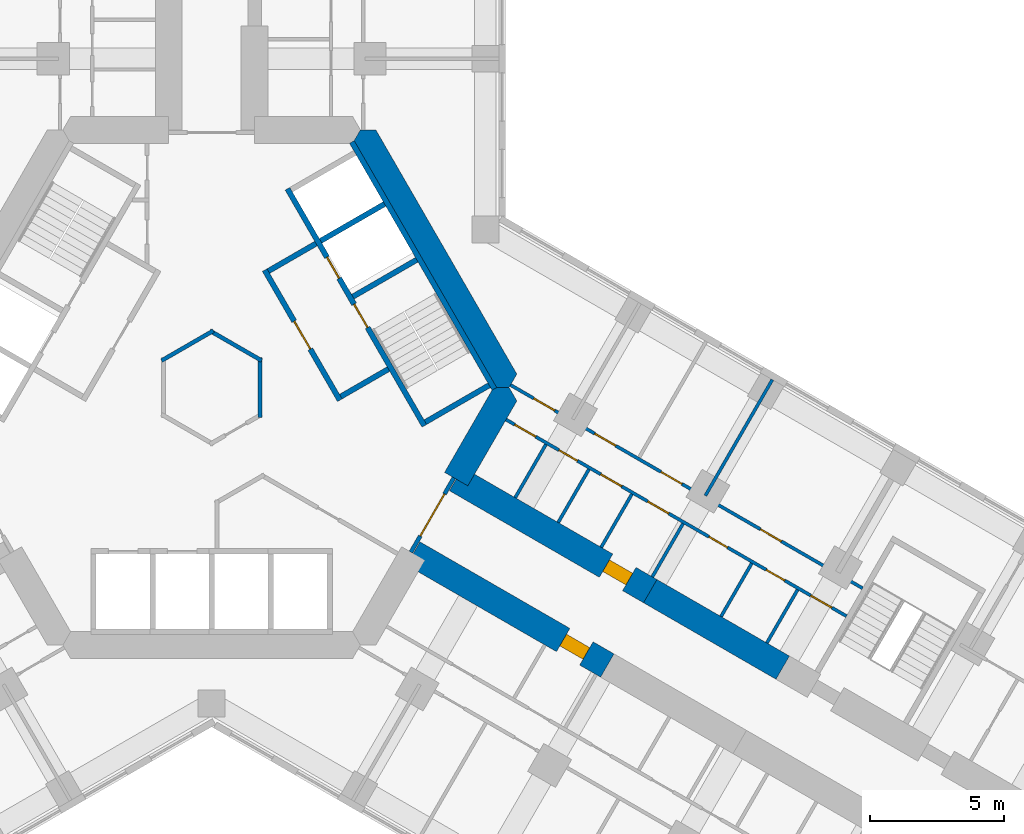
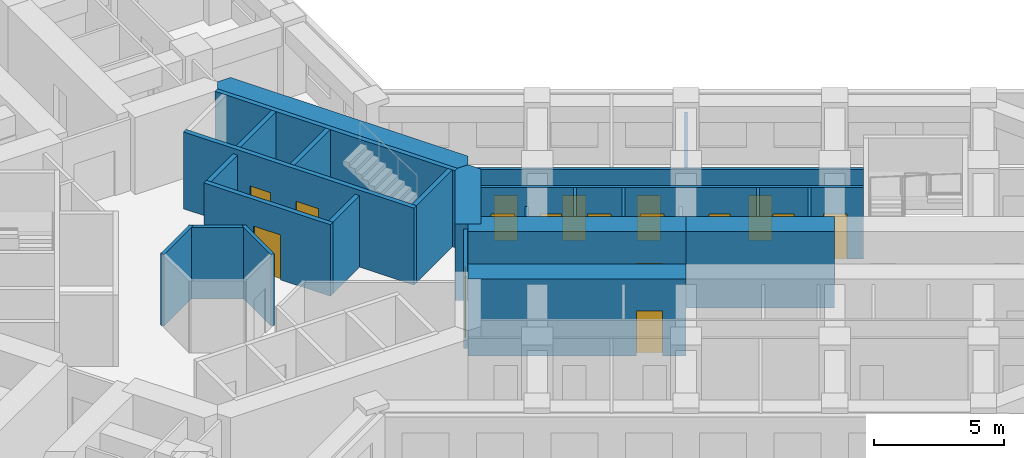
# One storey, part 15 of 21: 26 walls, 17 doors, 17 openings.
"""IFC4 building model written with IfcOpenShell, lengths in metres."""

import ifcopenshell
import ifcopenshell.guid

model = None  # the IFC model being written
_history = None  # IfcOwnerHistory: only IFC2X3 demands one
_inside = {}  # id of a spatial element -> (the spatial element, [elements in it])
_under = {}  # id of a project, library or spatial element -> (it, [spatial elements below it])
_declared = {}  # id of a project -> (the project, [libraries it declares])
_typed = {}  # id of a type object -> (the type object, [elements of that type])
_made_of = {}  # id of a material, layer set ... -> (it, [elements and type objects made of it])


def new_model(schema):
    """Start an empty IFC model of exactly this schema.

    Asked for "IFC4X3", IfcOpenShell would pick the latest addendum, in which some entities
    have other attributes; the version numbers below select the first issue.
    IFC2X3 requires an IfcOwnerHistory on every rooted entity: one is made here for all.
    """
    global model, _history
    if schema == "IFC4X3":
        model = ifcopenshell.file(schema_version=(4, 3, 0, 0))
    else:
        model = ifcopenshell.file(schema=schema)
    _inside.clear()
    _under.clear()
    _declared.clear()
    _typed.clear()
    _made_of.clear()
    _history = None
    if model.schema == "IFC2X3":
        org = make("IfcOrganization", Name="unknown")
        user = make(
            "IfcPersonAndOrganization",
            ThePerson=make("IfcPerson", FamilyName="unknown"),
            TheOrganization=org,
        )
        app = make(
            "IfcApplication",
            ApplicationDeveloper=org,
            Version="unknown",
            ApplicationFullName="unknown",
            ApplicationIdentifier="unknown",
        )
        _history = make(
            "IfcOwnerHistory",
            OwningUser=user,
            OwningApplication=app,
            ChangeAction="ADDED",
            CreationDate=0,
        )
    return model


def make(cls, **values):
    """One entity of the class cls with the attributes given. An attribute that is None is left unset."""
    return model.create_entity(
        cls, **{name: value for name, value in values.items() if value is not None}
    )


def rooted(cls, **values):
    """An entity with a GlobalId (a new one), such as an element, a storey or a relation."""
    return make(cls, GlobalId=ifcopenshell.guid.new(), OwnerHistory=_history, **values)


def si_unit(unit_type, name, prefix=None):
    """IfcSIUnit, for example si_unit("LENGTHUNIT", "METRE", prefix="MILLI")."""
    return make("IfcSIUnit", UnitType=unit_type, Prefix=prefix, Name=name)


def assignment(units):
    """IfcUnitAssignment: the units of a project."""
    return None if units is None else make("IfcUnitAssignment", Units=units)


def point(xyz):
    """IfcCartesianPoint."""
    return None if xyz is None else make("IfcCartesianPoint", Coordinates=xyz)


def direction(xyz):
    """IfcDirection."""
    return None if xyz is None else make("IfcDirection", DirectionRatios=xyz)


def frame(location, z_axis=None, x_axis=None):
    """IfcAxis2Placement3D, a coordinate frame: its origin and axes. An axis left out is left unset."""
    return make(
        "IfcAxis2Placement3D",
        Location=point(location),
        Axis=direction(z_axis),
        RefDirection=direction(x_axis),
    )


def frame_2d(location, x_axis=None):
    """IfcAxis2Placement2D, a coordinate frame in the plane: its origin and x axis."""
    return make(
        "IfcAxis2Placement2D", Location=point(location), RefDirection=direction(x_axis)
    )


def origin():
    """The frame at (0, 0, 0) with its axes left unset."""
    return frame((0.0, 0.0, 0.0))


def place(relative_to, where):
    """IfcLocalPlacement: puts the frame where relative to a parent placement (None: the world)."""
    return make(
        "IfcLocalPlacement", PlacementRelTo=relative_to, RelativePlacement=where
    )


def context(
    kind, dimensions, precision=None, world=None, true_north=None, identifier=None
):
    """IfcGeometricRepresentationContext, for example the 3D "Model" context."""
    return make(
        "IfcGeometricRepresentationContext",
        ContextIdentifier=identifier,
        ContextType=kind,
        CoordinateSpaceDimension=dimensions,
        Precision=precision,
        WorldCoordinateSystem=world,
        TrueNorth=true_north,
    )


def subcontext(parent, identifier, kind, view, scale=None):
    """IfcGeometricRepresentationSubContext, for example "Body" below "Model"."""
    return make(
        "IfcGeometricRepresentationSubContext",
        ContextIdentifier=identifier,
        ContextType=kind,
        ParentContext=parent,
        TargetScale=scale,
        TargetView=view,
    )


def project(units=None, contexts=None):
    """IfcProject with its units and contexts."""
    return rooted(
        "IfcProject",
        Name="project",
        RepresentationContexts=contexts,
        UnitsInContext=assignment(units),
    )


def spatial(cls, under=None, at=None, **own):
    """A site, building, storey or space (cls), placed at a placement, below another one or the project."""
    s = rooted(cls, ObjectPlacement=at, **own)
    if under is not None:
        _under.setdefault(under.id(), (under, []))[1].append(s)
    return s


def polyline(points):
    """IfcPolyline through the points."""
    return make("IfcPolyline", Points=[point(p) for p in points])


def profile(cls, at=None, kind="AREA", **sizes):
    """A parametric profile (cls). Its sizes go by their IFC names, for example OverallWidth=200.0."""
    return make(cls, ProfileType=kind, Position=at, **sizes)


def rectangle(**sizes):
    """IfcRectangleProfileDef."""
    return profile("IfcRectangleProfileDef", **sizes)


def outline(outer, holes=None, kind="AREA"):
    """IfcArbitraryClosedProfileDef: a profile drawn as a closed curve; with holes, ...WithVoids."""
    if holes is None:
        return make("IfcArbitraryClosedProfileDef", ProfileType=kind, OuterCurve=outer)
    return make(
        "IfcArbitraryProfileDefWithVoids",
        ProfileType=kind,
        OuterCurve=outer,
        InnerCurves=holes,
    )


def extrude(swept, where, along, depth):
    """IfcExtrudedAreaSolid: the profile swept, set in the frame where, extruded along a direction by depth."""
    return make(
        "IfcExtrudedAreaSolid",
        SweptArea=swept,
        Position=where,
        ExtrudedDirection=direction(along),
        Depth=depth,
    )


def shape(context_of_items, identifier, shape_type, items):
    """IfcShapeRepresentation: the items that make up one representation, for example the "Body"."""
    return make(
        "IfcShapeRepresentation",
        ContextOfItems=context_of_items,
        RepresentationIdentifier=identifier,
        RepresentationType=shape_type,
        Items=items,
    )


def material(Name=None, Category=None):
    """IfcMaterial."""
    return make("IfcMaterial", Name=Name, Category=Category)


def layer(
    of_material, thickness, ventilated=None, Name=None, Category=None, Priority=None
):
    """IfcMaterialLayer: one layer of a wall or slab, of a material (None: an air gap)."""
    return make(
        "IfcMaterialLayer",
        Material=of_material,
        LayerThickness=thickness,
        IsVentilated=ventilated,
        Name=Name,
        Category=Category,
        Priority=Priority,
    )


def layer_set(layers, Name=None):
    """IfcMaterialLayerSet."""
    return make("IfcMaterialLayerSet", MaterialLayers=layers, LayerSetName=Name)


def made_of(thing, what):
    """Note that an element or type object is made of a material, layer set ...; save() writes the relation."""
    if what is not None:
        _made_of.setdefault(what.id(), (what, []))[1].append(thing)
    return thing


def type_object(cls, material=None, **own):
    """A type object (cls), such as IfcWallType, which elements share."""
    return made_of(rooted(cls, **own), material)


def element(
    cls,
    number,
    at=None,
    inside=None,
    cuts=None,
    type_object=None,
    material=None,
    context=None,
    identifier="Body",
    shape_type=None,
    held_by="IfcProductDefinitionShape",
    body=None,
    shapes=None,
    **own,
):
    """One element of the class cls, such as IfcWall. Its Tag is "e" and its number.

    at: its placement. inside: the storey or other place that contains it. cuts: it is an
    opening in that element (IfcRelVoidsElement). A single representation is given by context,
    identifier, shape_type and body (its items); several are given by shapes. held_by: the class
    of the entity that holds the representations. save() writes the other relations.
    """
    e = rooted(cls, Tag="e%d" % number, ObjectPlacement=at, **own)
    if body is not None:
        shapes = [shape(context, identifier, shape_type, body)]
    if shapes is not None:
        e.Representation = make(held_by, Representations=shapes)
    if inside is not None:
        _inside.setdefault(inside.id(), (inside, []))[1].append(e)
    if cuts is not None:
        rooted(
            "IfcRelVoidsElement", RelatingBuildingElement=cuts, RelatedOpeningElement=e
        )
    if type_object is not None:
        _typed.setdefault(type_object.id(), (type_object, []))[1].append(e)
    return made_of(e, material)


def fill(opening, filler):
    """IfcRelFillsElement: the door or window that sits in an opening."""
    return rooted(
        "IfcRelFillsElement",
        RelatingOpeningElement=opening,
        RelatedBuildingElement=filler,
    )


def aggregate(whole, parts):
    """IfcRelAggregates: a whole, such as a stair, and the parts it consists of."""
    return rooted("IfcRelAggregates", RelatingObject=whole, RelatedObjects=parts)


def save(model, path):
    """Write the relations noted so far, then the file.

    IfcRelAggregates (storeys below a building ...), IfcRelContainedInSpatialStructure (elements
    in a storey), IfcRelDefinesByType, IfcRelAssociatesMaterial and IfcRelDeclares: one each for
    every whole, place, type object, material and project.
    """
    for whole, parts in _under.values():
        aggregate(whole, parts)
    for where, things in _inside.values():
        rooted(
            "IfcRelContainedInSpatialStructure",
            RelatedElements=things,
            RelatingStructure=where,
        )
    for kind, things in _typed.values():
        rooted("IfcRelDefinesByType", RelatedObjects=things, RelatingType=kind)
    for what, things in _made_of.values():
        rooted("IfcRelAssociatesMaterial", RelatedObjects=things, RelatingMaterial=what)
    for by, libraries in _declared.values():
        rooted("IfcRelDeclares", RelatingContext=by, RelatedDefinitions=libraries)
    model.write(path)


model = new_model("IFC4")

# Units and contexts
model_context = context("Model", 3, precision=1e-05, world=origin(), true_north=direction((0.0, 1.0)))
body_context = subcontext(model_context, "Body", "Model", "MODEL_VIEW")
ifc_project = project(units=[si_unit("LENGTHUNIT", "METRE"), si_unit("AREAUNIT", "SQUARE_METRE"), si_unit("VOLUMEUNIT", "CUBIC_METRE"), si_unit("PLANEANGLEUNIT", "RADIAN"), si_unit("MASSUNIT", "GRAM", prefix="KILO")], contexts=[model_context])

# Site, building, storey
site_placement = place(None, origin())
site = spatial("IfcSite", under=ifc_project, at=site_placement, CompositionType="ELEMENT")
building_placement = place(site_placement, origin())
building = spatial("IfcBuilding", under=site, at=building_placement, Name="Kosmar Iwan School Tower", CompositionType="ELEMENT")
storey_placement = place(building_placement, frame((0.0, 0.0, 71.800048828125)))
storey = spatial("IfcBuildingStorey", under=building, at=storey_placement, Name="L17", CompositionType="ELEMENT", Elevation=71.800048828125)

# Walls
ifc_material_1 = material(Name="Gypsum board on steel studs, fire-rated", Category="steel")
ifc_layer_1 = layer(ifc_material_1, 0.14990234375)
ifc_layer_set_1 = layer_set([ifc_layer_1], Name="Core room partition 150")
wall_type_1 = type_object("IfcWallType", Name="Core room partition 150", PredefinedType="PARTITIONING", material=ifc_layer_set_1)
for number, where, z_axis, x_axis, name in (
    (1, (-1.864990234375, 1.001708984375, 0.0), (0.0, 0.0, 1.0), (0.866023215828, 0.500003789632, 0.0), "Core room partition L17-CW7"),
    (2, (-0.06494140625, 2.115966796875, 0.0), (0.0, 0.0, 1.0), (0.866023215828, -0.500003789632, 0.0), "Core room partition L17-CW8"),
    (3, (1.800048828125, 1.1142578125, 0.0), (0.0, 0.0, 1.0), (0.0, -1.0, 0.0), "Core room partition L17-CW9"),
):
    element("IfcWall", number, at=place(storey_placement, frame(where, z_axis=z_axis, x_axis=x_axis)), inside=storey, type_object=wall_type_1, Name=name, PredefinedType="PARTITIONING", context=body_context, shape_type="SweptSolid", body=[
        extrude(rectangle(XDim=2.228515625, YDim=0.14990234375, at=frame_2d((1.1142578125, 0.0))), origin(), (0.0, 0.0, 1.0), 3.349853515625),
    ])
ifc_material_2 = material(Name="Concrete C50/60", Category="concrete")
ifc_layer_2 = layer(ifc_material_2, 1.0)
ifc_layer_set_2 = layer_set([ifc_layer_2], Name="Core wall 1000")
wall_type_2 = type_object("IfcWallType", Name="Core wall 1000", PredefinedType="SHEAR", material=ifc_layer_set_2)
wall_1_placement = place(storey_placement, origin())
element("IfcWall", 4, at=wall_1_placement, inside=storey, type_object=wall_type_2, Name="Core wall F030", PredefinedType="SHEAR", context=body_context, shape_type="SweptSolid", body=[
    extrude(outline(polyline([(10.5078125, 0.0), (11.085205078125, 0.0), (11.373779296875, 0.5), (6.119873046875, 9.60009765625), (5.54248046875, 9.60009765625), (5.25390625, 9.10009765625), (10.5078125, 0.0)])), origin(), (0.0, 0.0, 1.0), 3.599853515625),
])
wall_2_placement = place(storey_placement, origin())
element("IfcWall", 5, at=wall_2_placement, inside=storey, type_object=wall_type_2, Name="Core wall F330b", PredefinedType="SHEAR", context=body_context, shape_type="SweptSolid", body=[
    extrude(outline(polyline([(9.546875, -3.664306640625), (11.373779296875, -0.5), (11.085205078125, 0.0), (10.5078125, 0.0), (8.680908203125, -3.164306640625), (9.546875, -3.664306640625)])), origin(), (0.0, 0.0, 1.0), 3.599853515625),
])

# Wall, opening, door
ifc_material_3 = material(Name="Concrete C50/60", Category="concrete")
ifc_layer_3 = layer(ifc_material_3, 1.0)
ifc_layer_set_3 = layer_set([ifc_layer_3], Name="Corridor buttress wall 1000")
wall_type_3 = type_object("IfcWallType", Name="Corridor buttress wall 1000", PredefinedType="SHEAR", material=ifc_layer_set_3)
wall_3_placement = place(storey_placement, frame((9.11376953125, -3.414306640625, 0.0), z_axis=(0.0, 0.0, 1.0), x_axis=(0.866026859388, -0.499997478812, 0.0)))
wall_3 = element("IfcWall", 6, at=wall_3_placement, inside=storey, type_object=wall_type_3, Name="Corridor wall CL", PredefinedType="SHEAR", context=body_context, shape_type="SweptSolid", body=[
    extrude(rectangle(XDim=8.35009765625, YDim=1.0, at=frame_2d((4.175048828125, 0.0))), origin(), (0.0, 0.0, 1.0), 3.599853515625),
])
opening_1_placement = place(wall_3_placement, frame((6.449951171875, 0.0, 0.0)))
opening_1 = element("IfcOpeningElement", 7, at=opening_1_placement, cuts=wall_3, Name="Opening D1", PredefinedType="OPENING", context=body_context, shape_type="SweptSolid", body=[
    extrude(rectangle(XDim=1.0, YDim=2.10009765625, at=frame_2d((0.5, 1.050048828125))), frame((0.0, 0.511962890625, 0.0), z_axis=(0.0, -1.0, 0.0), x_axis=(1.0, 0.0, 0.0)), (0.0, 0.0, 1.0), 1.02392578125),
])
ifc_material_4 = material(Name="Timber fire door in steel frame", Category="steel")
door_type_1 = type_object("IfcDoorType", Name="Flat entrance door 1000x2100", OperationType="SINGLE_SWING_LEFT", PredefinedType="DOOR", material=ifc_material_4)
door_1_placement = place(opening_1_placement, origin())
door_1 = element("IfcDoor", 8, at=door_1_placement, inside=storey, type_object=door_type_1, Name="Flat L17-CL1 entrance door", OperationType="SINGLE_SWING_LEFT", OverallHeight=2.10009765625, OverallWidth=1.0, PredefinedType="DOOR", context=body_context, shape_type="SweptSolid", body=[
    extrude(rectangle(XDim=1.0, YDim=2.10009765625, at=frame_2d((0.5, 1.050048828125))), frame((0.0, 0.25, 0.0), z_axis=(0.0, -1.0, 0.0), x_axis=(1.0, 0.0, 0.0)), (0.0, 0.0, 1.0), 0.5),
])
fill(opening_1, door_1)

# Wall
wall_4_placement = place(storey_placement, frame((16.34521484375, -7.58935546875, 0.0), z_axis=(0.0, 0.0, 1.0), x_axis=(0.866015111908, -0.50001782563, 0.0)))
element("IfcWall", 9, at=wall_4_placement, inside=storey, type_object=wall_type_3, Name="Corridor wall CL bay 2", PredefinedType="SHEAR", context=body_context, shape_type="SweptSolid", body=[
    extrude(rectangle(XDim=5.699951171875, YDim=1.0, at=frame_2d((2.85009765625, 0.0))), origin(), (0.0, 0.0, 1.0), 3.599853515625),
])

# Wall, opening, door
wall_5_placement = place(storey_placement, frame((7.513916015625, -6.185546875, 0.0), z_axis=(0.0, 0.0, 1.0), x_axis=(0.866019549707, -0.500010139422, 0.0)))
wall_5 = element("IfcWall", 10, at=wall_5_placement, inside=storey, type_object=wall_type_3, Name="Corridor wall CR", PredefinedType="SHEAR", context=body_context, shape_type="SweptSolid", body=[
    extrude(rectangle(XDim=8.349853515625, YDim=1.0, at=frame_2d((4.1748046875, 0.0))), origin(), (0.0, 0.0, 1.0), 3.599853515625),
])
opening_2_placement = place(wall_5_placement, frame((6.449951171875, 0.0, 0.0)))
opening_2 = element("IfcOpeningElement", 11, at=opening_2_placement, cuts=wall_5, Name="Opening D1", PredefinedType="OPENING", context=body_context, shape_type="SweptSolid", body=[
    extrude(rectangle(XDim=1.0, YDim=2.10009765625, at=frame_2d((0.5, 1.050048828125))), frame((0.0, 0.511962890625, 0.0), z_axis=(0.0, -1.0, 0.0), x_axis=(1.0, 0.0, 0.0)), (0.0, 0.0, 1.0), 1.02392578125),
])
door_2_placement = place(opening_2_placement, origin())
door_2 = element("IfcDoor", 12, at=door_2_placement, inside=storey, type_object=door_type_1, Name="Flat L17-CR1 entrance door", OperationType="SINGLE_SWING_RIGHT", OverallHeight=2.10009765625, OverallWidth=1.0, PredefinedType="DOOR", context=body_context, shape_type="SweptSolid", body=[
    extrude(rectangle(XDim=1.0, YDim=2.10009765625, at=frame_2d((0.5, 1.050048828125))), frame((0.0, 0.25, 0.0), z_axis=(0.0, -1.0, 0.0), x_axis=(1.0, 0.0, 0.0)), (0.0, 0.0, 1.0), 0.5),
])
fill(opening_2, door_2)

ifc_material_5 = material(Name="Steel framed glazed screen", Category="steel")
ifc_layer_4 = layer(ifc_material_5, 0.14990234375)
ifc_layer_set_4 = layer_set([ifc_layer_4], Name="Corridor screen wall 150")
wall_type_4 = type_object("IfcWallType", Name="Corridor screen wall 150", PredefinedType="PARTITIONING", material=ifc_layer_set_4)
wall_6_placement = place(storey_placement, frame((7.42724609375, -6.1357421875, 0.0), z_axis=(0.0, 0.0, 1.0), x_axis=(0.499995408039, 0.866028054938, 0.0)))
wall_6 = element("IfcWall", 13, at=wall_6_placement, inside=storey, type_object=wall_type_4, Name="Corridor screen C L17", PredefinedType="PARTITIONING", context=body_context, shape_type="SweptSolid", body=[
    extrude(rectangle(XDim=3.2001953125, YDim=0.14990234375, at=frame_2d((1.60009765625, 0.0))), origin(), (0.0, 0.0, 1.0), 3.349853515625),
])
opening_3_placement = place(wall_6_placement, frame((0.699951171875, 0.0, 0.0)))
opening_3 = element("IfcOpeningElement", 14, at=opening_3_placement, cuts=wall_6, Name="Opening D9", PredefinedType="OPENING", context=body_context, shape_type="SweptSolid", body=[
    extrude(rectangle(XDim=1.800048828125, YDim=2.10009765625, at=frame_2d((0.89990234375, 1.050048828125))), frame((0.0, 0.0869140625, 0.0), z_axis=(0.0, -1.0, 0.0), x_axis=(1.0, 0.0, 0.0)), (0.0, 0.0, 1.0), 0.173828125),
])
ifc_material_6 = material(Name="Steel framed glazed smoke door", Category="steel")
door_type_2 = type_object("IfcDoorType", Name="Corridor smoke door pair 1800x2100", OperationType="DOUBLE_DOOR_DOUBLE_SWING", PredefinedType="DOOR", material=ifc_material_6)
door_3_placement = place(opening_3_placement, origin())
door_3 = element("IfcDoor", 15, at=door_3_placement, inside=storey, type_object=door_type_2, Name="Corridor doors C L17", OperationType="DOUBLE_DOOR_DOUBLE_SWING", OverallHeight=2.10009765625, OverallWidth=1.800048828125, PredefinedType="DOOR", context=body_context, shape_type="SweptSolid", body=[
    extrude(rectangle(XDim=1.800048828125, YDim=2.10009765625, at=frame_2d((0.89990234375, 1.050048828125))), frame((0.0, 0.02490234375, 0.0), z_axis=(0.0, -1.0, 0.0), x_axis=(1.0, 0.0, 0.0)), (0.0, 0.0, 1.0), 0.050048828125),
])
fill(opening_3, door_3)

# Wall, openings, doors
ifc_material_7 = material(Name="Gypsum board on steel studs", Category="steel")
ifc_layer_5 = layer(ifc_material_7, 0.1201171875)
ifc_layer_set_5 = layer_set([ifc_layer_5], Name="Dwelling partition 120")
wall_type_5 = type_object("IfcWallType", Name="Dwelling partition 120", PredefinedType="PARTITIONING", material=ifc_layer_set_5)
wall_7_placement = place(storey_placement, frame((10.971923828125, -1.1962890625, 0.0), z_axis=(0.0, 0.0, 1.0), x_axis=(0.866026568746, -0.499997982221, 0.0)))
wall_7 = element("IfcWall", 16, at=wall_7_placement, inside=storey, type_object=wall_type_5, Name="Partition L17-CL1-W1", PredefinedType="PARTITIONING", context=body_context, shape_type="SweptSolid", body=[
    extrude(rectangle(XDim=14.64990234375, YDim=0.1201171875, at=frame_2d((7.324951171875, 0.0))), origin(), (0.0, 0.0, 1.0), 3.349853515625),
])
opening_4_placement = place(wall_7_placement, frame((0.375, 0.0, 0.0)))
opening_4 = element("IfcOpeningElement", 17, at=opening_4_placement, cuts=wall_7, Name="Opening D2", PredefinedType="OPENING", context=body_context, shape_type="SweptSolid", body=[
    extrude(rectangle(XDim=0.89990234375, YDim=2.10009765625, at=frame_2d((0.449951171875, 1.050048828125))), frame((0.0, 0.072021484375, 0.0), z_axis=(0.0, -1.0, 0.0), x_axis=(1.0, 0.0, 0.0)), (0.0, 0.0, 1.0), 0.14404296875),
])
opening_5_placement = place(wall_7_placement, frame((2.27490234375, 0.0, 0.0)))
opening_5 = element("IfcOpeningElement", 18, at=opening_5_placement, cuts=wall_7, Name="Opening D3", PredefinedType="OPENING", context=body_context, shape_type="SweptSolid", body=[
    extrude(rectangle(XDim=0.800048828125, YDim=2.10009765625, at=frame_2d((0.39990234375, 1.050048828125))), frame((0.0, 0.072021484375, 0.0), z_axis=(0.0, -1.0, 0.0), x_axis=(1.0, 0.0, 0.0)), (0.0, 0.0, 1.0), 0.14404296875),
])
opening_6_placement = place(wall_7_placement, frame((4.074951171875, 0.0, 0.0)))
opening_6 = element("IfcOpeningElement", 19, at=opening_6_placement, cuts=wall_7, Name="Opening D2", PredefinedType="OPENING", context=body_context, shape_type="SweptSolid", body=[
    extrude(rectangle(XDim=0.89990234375, YDim=2.10009765625, at=frame_2d((0.449951171875, 1.050048828125))), frame((0.0, 0.072021484375, 0.0), z_axis=(0.0, -1.0, 0.0), x_axis=(1.0, 0.0, 0.0)), (0.0, 0.0, 1.0), 0.14404296875),
])
opening_7_placement = place(wall_7_placement, frame((6.10009765625, 0.0, 0.0)))
opening_7 = element("IfcOpeningElement", 20, at=opening_7_placement, cuts=wall_7, Name="Opening D2", PredefinedType="OPENING", context=body_context, shape_type="SweptSolid", body=[
    extrude(rectangle(XDim=0.89990234375, YDim=2.10009765625, at=frame_2d((0.449951171875, 1.050048828125))), frame((0.0, 0.072021484375, 0.0), z_axis=(0.0, -1.0, 0.0), x_axis=(1.0, 0.0, 0.0)), (0.0, 0.0, 1.0), 0.14404296875),
])
opening_8_placement = place(wall_7_placement, frame((8.728515625, 0.0, 0.0)))
opening_8 = element("IfcOpeningElement", 21, at=opening_8_placement, cuts=wall_7, Name="Opening D3", PredefinedType="OPENING", context=body_context, shape_type="SweptSolid", body=[
    extrude(rectangle(XDim=0.800048828125, YDim=2.10009765625, at=frame_2d((0.39990234375, 1.050048828125))), frame((0.0, 0.072021484375, 0.0), z_axis=(0.0, -1.0, 0.0), x_axis=(1.0, 0.0, 0.0)), (0.0, 0.0, 1.0), 0.14404296875),
])
opening_9_placement = place(wall_7_placement, frame((11.19287109375, 0.0, 0.0)))
opening_9 = element("IfcOpeningElement", 22, at=opening_9_placement, cuts=wall_7, Name="Opening D3", PredefinedType="OPENING", context=body_context, shape_type="SweptSolid", body=[
    extrude(rectangle(XDim=0.800048828125, YDim=2.10009765625, at=frame_2d((0.39990234375, 1.050048828125))), frame((0.0, 0.072021484375, 0.0), z_axis=(0.0, -1.0, 0.0), x_axis=(1.0, 0.0, 0.0)), (0.0, 0.0, 1.0), 0.14404296875),
])
opening_10_placement = place(wall_7_placement, frame((13.1142578125, 0.0, 0.0)))
opening_10 = element("IfcOpeningElement", 23, at=opening_10_placement, cuts=wall_7, Name="Opening D2", PredefinedType="OPENING", context=body_context, shape_type="SweptSolid", body=[
    extrude(rectangle(XDim=0.89990234375, YDim=2.10009765625, at=frame_2d((0.449951171875, 1.050048828125))), frame((0.0, 0.072021484375, 0.0), z_axis=(0.0, -1.0, 0.0), x_axis=(1.0, 0.0, 0.0)), (0.0, 0.0, 1.0), 0.14404296875),
])
ifc_material_8 = material(Name="Timber door in timber frame", Category="wood")
door_type_3 = type_object("IfcDoorType", Name="Internal door 900x2100", OperationType="SINGLE_SWING_LEFT", PredefinedType="DOOR", material=ifc_material_8)
door_4_placement = place(opening_4_placement, origin())
door_4 = element("IfcDoor", 24, at=door_4_placement, inside=storey, type_object=door_type_3, Name="Dressing room door L17-CL1-S1", OperationType="SINGLE_SWING_LEFT", OverallHeight=2.10009765625, OverallWidth=0.89990234375, PredefinedType="DOOR", context=body_context, shape_type="SweptSolid", body=[
    extrude(rectangle(XDim=0.89990234375, YDim=2.10009765625, at=frame_2d((0.449951171875, 1.050048828125))), frame((0.0, 0.02490234375, 0.0), z_axis=(0.0, -1.0, 0.0), x_axis=(1.0, 0.0, 0.0)), (0.0, 0.0, 1.0), 0.050048828125),
])
fill(opening_4, door_4)
door_5_placement = place(opening_6_placement, origin())
door_5 = element("IfcDoor", 25, at=door_5_placement, inside=storey, type_object=door_type_3, Name="Pantry door L17-CL1-S3", OperationType="SINGLE_SWING_LEFT", OverallHeight=2.10009765625, OverallWidth=0.89990234375, PredefinedType="DOOR", context=body_context, shape_type="SweptSolid", body=[
    extrude(rectangle(XDim=0.89990234375, YDim=2.10009765625, at=frame_2d((0.449951171875, 1.050048828125))), frame((0.0, 0.02490234375, 0.0), z_axis=(0.0, -1.0, 0.0), x_axis=(1.0, 0.0, 0.0)), (0.0, 0.0, 1.0), 0.050048828125),
])
fill(opening_6, door_5)
door_6_placement = place(opening_7_placement, origin())
door_6 = element("IfcDoor", 26, at=door_6_placement, inside=storey, type_object=door_type_3, Name="Entrance hall door L17-CL1-S4", OperationType="SINGLE_SWING_LEFT", OverallHeight=2.10009765625, OverallWidth=0.89990234375, PredefinedType="DOOR", context=body_context, shape_type="SweptSolid", body=[
    extrude(rectangle(XDim=0.89990234375, YDim=2.10009765625, at=frame_2d((0.449951171875, 1.050048828125))), frame((0.0, 0.02490234375, 0.0), z_axis=(0.0, -1.0, 0.0), x_axis=(1.0, 0.0, 0.0)), (0.0, 0.0, 1.0), 0.050048828125),
])
fill(opening_7, door_6)
door_7_placement = place(opening_10_placement, frame((0.89990234375, 0.0, 0.0), z_axis=(0.0, 0.0, 1.0), x_axis=(-1.0, 0.0, 0.0)))
door_7 = element("IfcDoor", 27, at=door_7_placement, inside=storey, type_object=door_type_3, Name="Utility room door L17-CL1-S7", OperationType="SINGLE_SWING_LEFT", OverallHeight=2.10009765625, OverallWidth=0.89990234375, PredefinedType="DOOR", context=body_context, shape_type="SweptSolid", body=[
    extrude(rectangle(XDim=0.89990234375, YDim=2.10009765625, at=frame_2d((0.449951171875, 1.050048828125))), frame((0.0, 0.02490234375, 0.0), z_axis=(0.0, -1.0, 0.0), x_axis=(1.0, 0.0, 0.0)), (0.0, 0.0, 1.0), 0.050048828125),
])
fill(opening_10, door_7)
ifc_material_9 = material(Name="Timber door in timber frame", Category="wood")
door_type_4 = type_object("IfcDoorType", Name="Sanitary room door 800x2100", OperationType="SINGLE_SWING_LEFT", PredefinedType="DOOR", material=ifc_material_9)
door_8_placement = place(opening_5_placement, origin())
door_8 = element("IfcDoor", 28, at=door_8_placement, inside=storey, type_object=door_type_4, Name="Store door L17-CL1-S2", OperationType="SINGLE_SWING_LEFT", OverallHeight=2.10009765625, OverallWidth=0.800048828125, PredefinedType="DOOR", context=body_context, shape_type="SweptSolid", body=[
    extrude(rectangle(XDim=0.800048828125, YDim=2.10009765625, at=frame_2d((0.39990234375, 1.050048828125))), frame((0.0, 0.02490234375, 0.0), z_axis=(0.0, -1.0, 0.0), x_axis=(1.0, 0.0, 0.0)), (0.0, 0.0, 1.0), 0.050048828125),
])
fill(opening_5, door_8)
door_9_placement = place(opening_8_placement, origin())
door_9 = element("IfcDoor", 29, at=door_9_placement, inside=storey, type_object=door_type_4, Name="Bathroom door L17-CL1-S5", OperationType="SINGLE_SWING_RIGHT", OverallHeight=2.10009765625, OverallWidth=0.800048828125, PredefinedType="DOOR", context=body_context, shape_type="SweptSolid", body=[
    extrude(rectangle(XDim=0.800048828125, YDim=2.10009765625, at=frame_2d((0.39990234375, 1.050048828125))), frame((0.0, 0.02490234375, 0.0), z_axis=(0.0, -1.0, 0.0), x_axis=(1.0, 0.0, 0.0)), (0.0, 0.0, 1.0), 0.050048828125),
])
fill(opening_8, door_9)
door_10_placement = place(opening_9_placement, origin())
door_10 = element("IfcDoor", 30, at=door_10_placement, inside=storey, type_object=door_type_4, Name="WC door L17-CL1-S6", OperationType="SINGLE_SWING_RIGHT", OverallHeight=2.10009765625, OverallWidth=0.800048828125, PredefinedType="DOOR", context=body_context, shape_type="SweptSolid", body=[
    extrude(rectangle(XDim=0.800048828125, YDim=2.10009765625, at=frame_2d((0.39990234375, 1.050048828125))), frame((0.0, 0.02490234375, 0.0), z_axis=(0.0, -1.0, 0.0), x_axis=(1.0, 0.0, 0.0)), (0.0, 0.0, 1.0), 0.050048828125),
])
fill(opening_9, door_10)

wall_8_placement = place(storey_placement, frame((11.138916015625, 0.093017578125, 0.0), z_axis=(0.0, 0.0, 1.0), x_axis=(0.866024032363, -0.500002375365, 0.0)))
wall_8 = element("IfcWall", 31, at=wall_8_placement, inside=storey, type_object=wall_type_5, Name="Partition L17-CL1-W2", PredefinedType="PARTITIONING", context=body_context, shape_type="SweptSolid", body=[
    extrude(rectangle(XDim=15.14990234375, YDim=0.1201171875, at=frame_2d((7.574951171875, 0.0))), origin(), (0.0, 0.0, 1.0), 3.349853515625),
])
opening_11_placement = place(wall_8_placement, frame((1.0, 0.0, 0.0)))
opening_11 = element("IfcOpeningElement", 32, at=opening_11_placement, cuts=wall_8, Name="Opening D2", PredefinedType="OPENING", context=body_context, shape_type="SweptSolid", body=[
    extrude(rectangle(XDim=0.89990234375, YDim=2.10009765625, at=frame_2d((0.449951171875, 1.050048828125))), frame((0.0, 0.072021484375, 0.0), z_axis=(0.0, -1.0, 0.0), x_axis=(1.0, 0.0, 0.0)), (0.0, 0.0, 1.0), 0.14404296875),
])
opening_12_placement = place(wall_8_placement, frame((3.625, 0.0, 0.0)))
opening_12 = element("IfcOpeningElement", 33, at=opening_12_placement, cuts=wall_8, Name="Opening D2", PredefinedType="OPENING", context=body_context, shape_type="SweptSolid", body=[
    extrude(rectangle(XDim=0.89990234375, YDim=2.10009765625, at=frame_2d((0.449951171875, 1.050048828125))), frame((0.0, 0.072021484375, 0.0), z_axis=(0.0, -1.0, 0.0), x_axis=(1.0, 0.0, 0.0)), (0.0, 0.0, 1.0), 0.14404296875),
])
opening_13_placement = place(wall_8_placement, frame((6.47509765625, 0.0, 0.0)))
opening_13 = element("IfcOpeningElement", 34, at=opening_13_placement, cuts=wall_8, Name="Opening D2", PredefinedType="OPENING", context=body_context, shape_type="SweptSolid", body=[
    extrude(rectangle(XDim=0.89990234375, YDim=2.10009765625, at=frame_2d((0.449951171875, 1.050048828125))), frame((0.0, 0.072021484375, 0.0), z_axis=(0.0, -1.0, 0.0), x_axis=(1.0, 0.0, 0.0)), (0.0, 0.0, 1.0), 0.14404296875),
])
opening_14_placement = place(wall_8_placement, frame((10.75, 0.0, 0.0)))
opening_14 = element("IfcOpeningElement", 35, at=opening_14_placement, cuts=wall_8, Name="Opening D2", PredefinedType="OPENING", context=body_context, shape_type="SweptSolid", body=[
    extrude(rectangle(XDim=0.89990234375, YDim=2.10009765625, at=frame_2d((0.449951171875, 1.050048828125))), frame((0.0, 0.072021484375, 0.0), z_axis=(0.0, -1.0, 0.0), x_axis=(1.0, 0.0, 0.0)), (0.0, 0.0, 1.0), 0.14404296875),
])
door_11_placement = place(opening_11_placement, origin())
door_11 = element("IfcDoor", 36, at=door_11_placement, inside=storey, type_object=door_type_3, Name="Family room door L17-CL1-F1", OperationType="SINGLE_SWING_LEFT", OverallHeight=2.10009765625, OverallWidth=0.89990234375, PredefinedType="DOOR", context=body_context, shape_type="SweptSolid", body=[
    extrude(rectangle(XDim=0.89990234375, YDim=2.10009765625, at=frame_2d((0.449951171875, 1.050048828125))), frame((0.0, 0.02490234375, 0.0), z_axis=(0.0, -1.0, 0.0), x_axis=(1.0, 0.0, 0.0)), (0.0, 0.0, 1.0), 0.050048828125),
])
fill(opening_11, door_11)
door_12_placement = place(opening_12_placement, origin())
door_12 = element("IfcDoor", 37, at=door_12_placement, inside=storey, type_object=door_type_3, Name="Study door L17-CL1-F2", OperationType="SINGLE_SWING_RIGHT", OverallHeight=2.10009765625, OverallWidth=0.89990234375, PredefinedType="DOOR", context=body_context, shape_type="SweptSolid", body=[
    extrude(rectangle(XDim=0.89990234375, YDim=2.10009765625, at=frame_2d((0.449951171875, 1.050048828125))), frame((0.0, 0.02490234375, 0.0), z_axis=(0.0, -1.0, 0.0), x_axis=(1.0, 0.0, 0.0)), (0.0, 0.0, 1.0), 0.050048828125),
])
fill(opening_12, door_12)
door_13_placement = place(opening_13_placement, origin())
door_13 = element("IfcDoor", 38, at=door_13_placement, inside=storey, type_object=door_type_3, Name="Bedroom 1 door L17-CL1-F3", OperationType="SINGLE_SWING_LEFT", OverallHeight=2.10009765625, OverallWidth=0.89990234375, PredefinedType="DOOR", context=body_context, shape_type="SweptSolid", body=[
    extrude(rectangle(XDim=0.89990234375, YDim=2.10009765625, at=frame_2d((0.449951171875, 1.050048828125))), frame((0.0, 0.02490234375, 0.0), z_axis=(0.0, -1.0, 0.0), x_axis=(1.0, 0.0, 0.0)), (0.0, 0.0, 1.0), 0.050048828125),
])
fill(opening_13, door_13)
door_14_placement = place(opening_14_placement, origin())
door_14 = element("IfcDoor", 39, at=door_14_placement, inside=storey, type_object=door_type_3, Name="Living room and kitchen door L17-CL1-F4", OperationType="SINGLE_SWING_RIGHT", OverallHeight=2.10009765625, OverallWidth=0.89990234375, PredefinedType="DOOR", context=body_context, shape_type="SweptSolid", body=[
    extrude(rectangle(XDim=0.89990234375, YDim=2.10009765625, at=frame_2d((0.449951171875, 1.050048828125))), frame((0.0, 0.02490234375, 0.0), z_axis=(0.0, -1.0, 0.0), x_axis=(1.0, 0.0, 0.0)), (0.0, 0.0, 1.0), 0.050048828125),
])
fill(opening_14, door_14)

# Walls
wall_9_placement = place(storey_placement, frame((18.400146484375, -4.030029296875, 0.0), z_axis=(0.0, 0.0, 1.0), x_axis=(0.500011847778, 0.866018563358, 0.0)))
element("IfcWall", 40, at=wall_9_placement, inside=storey, type_object=wall_type_5, Name="Partition L17-CL1-X3", PredefinedType="PARTITIONING", context=body_context, shape_type="SweptSolid", body=[
    extrude(rectangle(XDim=4.990234375, YDim=0.1201171875, at=frame_2d((2.4951171875, 0.0))), origin(), (0.0, 0.0, 1.0), 2.449951171875),
])
wall_10_placement = place(storey_placement, frame((11.3125, -4.1064453125, 0.0), z_axis=(0.0, 0.0, 1.0), x_axis=(0.499968531483, 0.866043571379, 0.0)))
element("IfcWall", 41, at=wall_10_placement, inside=storey, type_object=wall_type_5, Name="Partition L17-CL1-Y1", PredefinedType="PARTITIONING", context=body_context, shape_type="SweptSolid", body=[
    extrude(rectangle(XDim=2.290283203125, YDim=0.1201171875, at=frame_2d((1.14501953125, 0.0))), origin(), (0.0, 0.0, 1.0), 2.449951171875),
])
for number, where, z_axis, x_axis, name in (
    (42, (12.91455078125, -5.03125, 0.0), (0.0, 0.0, 1.0), (0.500014693593, 0.866016920268, 0.0), "Partition L17-CL1-Y2"),
    (43, (14.5166015625, -5.956298828125, 0.0), (0.0, 0.0, 1.0), (0.500014693593, 0.866016920268, 0.0), "Partition L17-CL1-Y3"),
):
    element("IfcWall", number, at=place(storey_placement, frame(where, z_axis=z_axis, x_axis=x_axis)), inside=storey, type_object=wall_type_5, Name=name, PredefinedType="PARTITIONING", context=body_context, shape_type="SweptSolid", body=[
        extrude(rectangle(XDim=2.2900390625, YDim=0.1201171875, at=frame_2d((1.14501953125, 0.0))), origin(), (0.0, 0.0, 1.0), 3.349853515625),
    ])
wall_11_placement = place(storey_placement, frame((16.421875, -7.056396484375, 0.0), z_axis=(0.0, 0.0, 1.0), x_axis=(0.500014693593, 0.866016920268, 0.0)))
element("IfcWall", 44, at=wall_11_placement, inside=storey, type_object=wall_type_5, Name="Partition L17-CL1-Y4", PredefinedType="PARTITIONING", context=body_context, shape_type="SweptSolid", body=[
    extrude(rectangle(XDim=2.2900390625, YDim=0.1201171875, at=frame_2d((1.14501953125, 0.0))), origin(), (0.0, 0.0, 1.0), 2.449951171875),
])
wall_12_placement = place(storey_placement, frame((18.98291015625, -8.534912109375, 0.0), z_axis=(0.0, 0.0, 1.0), x_axis=(0.500014693593, 0.866016920268, 0.0)))
element("IfcWall", 45, at=wall_12_placement, inside=storey, type_object=wall_type_5, Name="Partition L17-CL1-Y5", PredefinedType="PARTITIONING", context=body_context, shape_type="SweptSolid", body=[
    extrude(rectangle(XDim=2.2900390625, YDim=0.1201171875, at=frame_2d((1.14501953125, 0.0))), origin(), (0.0, 0.0, 1.0), 3.349853515625),
])
wall_13_placement = place(storey_placement, frame((20.690185546875, -9.520751953125, 0.0), z_axis=(0.0, 0.0, 1.0), x_axis=(0.499968531483, 0.866043571379, 0.0)))
element("IfcWall", 46, at=wall_13_placement, inside=storey, type_object=wall_type_5, Name="Partition L17-CL1-Y6", PredefinedType="PARTITIONING", context=body_context, shape_type="SweptSolid", body=[
    extrude(rectangle(XDim=2.290283203125, YDim=0.1201171875, at=frame_2d((1.14501953125, 0.0))), origin(), (0.0, 0.0, 1.0), 3.349853515625),
])

# Wall, opening, door
ifc_material_10 = material(Name="Concrete block masonry", Category="masonry")
ifc_layer_6 = layer(ifc_material_10, 0.199951171875)
ifc_layer_set_6 = layer_set([ifc_layer_6], Name="Fire lobby wall 200")
wall_type_6 = type_object("IfcWallType", Name="Fire lobby wall 200", PredefinedType="PARTITIONING", material=ifc_layer_set_6)
wall_14_placement = place(storey_placement, frame((4.777587890625, -0.474853515625, 0.0), z_axis=(0.0, 0.0, 1.0), x_axis=(-0.500016814911, 0.866015695474, 0.0)))
wall_14 = element("IfcWall", 47, at=wall_14_placement, inside=storey, type_object=wall_type_6, Name="Firefighting lobby wall ST1", PredefinedType="PARTITIONING", context=body_context, shape_type="SweptSolid", body=[
    extrude(rectangle(XDim=5.599853515625, YDim=0.199951171875, at=frame_2d((2.7998046875, 0.0))), origin(), (0.0, 0.0, 1.0), 3.349853515625),
])
opening_15_placement = place(wall_14_placement, frame((2.199951171875, 0.0, 0.0)))
opening_15 = element("IfcOpeningElement", 48, at=opening_15_placement, cuts=wall_14, Name="Opening D7", PredefinedType="OPENING", context=body_context, shape_type="SweptSolid", body=[
    extrude(rectangle(XDim=1.199951171875, YDim=2.10009765625, at=frame_2d((0.60009765625, 1.050048828125))), frame((0.0, 0.112060546875, 0.0), z_axis=(0.0, -1.0, 0.0), x_axis=(1.0, 0.0, 0.0)), (0.0, 0.0, 1.0), 0.223876953125),
])
ifc_material_11 = material(Name="Steel fire door", Category="steel")
door_type_5 = type_object("IfcDoorType", Name="Fire lobby door 1200x2100", OperationType="SINGLE_SWING_LEFT", PredefinedType="DOOR", material=ifc_material_11)
door_15_placement = place(opening_15_placement, origin())
door_15 = element("IfcDoor", 49, at=door_15_placement, inside=storey, type_object=door_type_5, Name="Firefighting lobby door ST1 L17", OperationType="SINGLE_SWING_RIGHT", OverallHeight=2.10009765625, OverallWidth=1.199951171875, PredefinedType="DOOR", context=body_context, shape_type="SweptSolid", body=[
    extrude(rectangle(XDim=1.199951171875, YDim=2.10009765625, at=frame_2d((0.60009765625, 1.050048828125))), frame((0.0, 0.02490234375, 0.0), z_axis=(0.0, -1.0, 0.0), x_axis=(1.0, 0.0, 0.0)), (0.0, 0.0, 1.0), 0.050048828125),
])
fill(opening_15, door_15)

# Walls
wall_15_placement = place(storey_placement, frame((4.814208984375, -0.33837890625, 0.0), z_axis=(0.0, 0.0, 1.0), x_axis=(0.865969381856, 0.500097020274, 0.0)))
element("IfcWall", 50, at=wall_15_placement, inside=storey, type_object=wall_type_6, Name="Firefighting lobby wall ST1", PredefinedType="PARTITIONING", context=body_context, shape_type="SweptSolid", body=[
    extrude(rectangle(XDim=2.0498046875, YDim=0.199951171875, at=frame_2d((1.02490234375, 0.0))), origin(), (0.0, 0.0, 1.0), 3.349853515625),
])
wall_16_placement = place(storey_placement, frame((2.114013671875, 4.33837890625, 0.0), z_axis=(0.0, 0.0, 1.0), x_axis=(0.866050731258, 0.499956128963, 0.0)))
element("IfcWall", 51, at=wall_16_placement, inside=storey, type_object=wall_type_6, Name="Firefighting lobby wall ST1", PredefinedType="PARTITIONING", context=body_context, shape_type="SweptSolid", body=[
    extrude(rectangle(XDim=2.050048828125, YDim=0.199951171875, at=frame_2d((1.02490234375, 0.0))), origin(), (0.0, 0.0, 1.0), 3.349853515625),
])

# Wall, openings, doors
ifc_material_12 = material(Name="Concrete C50/60", Category="concrete")
ifc_layer_7 = layer(ifc_material_12, 0.199951171875)
ifc_layer_set_7 = layer_set([ifc_layer_7], Name="Lift shaft wall 200")
wall_type_7 = type_object("IfcWallType", Name="Lift shaft wall 200", PredefinedType="SHEAR", material=ifc_layer_set_7)
wall_17_placement = place(storey_placement, frame((7.926025390625, -1.42822265625, 0.0), z_axis=(0.0, 0.0, 1.0), x_axis=(-0.499998023675, 0.866026544813, 0.0)))
wall_17 = element("IfcWall", 52, at=wall_17_placement, inside=storey, type_object=wall_type_7, Name="Lift and stair front wall AC", PredefinedType="SHEAR", context=body_context, shape_type="SweptSolid", body=[
    extrude(rectangle(XDim=10.19970703125, YDim=0.199951171875, at=frame_2d((5.099853515625, 0.0))), origin(), (0.0, 0.0, 1.0), 3.599853515625),
])
opening_16_placement = place(wall_17_placement, frame((6.35009765625, 0.0, 0.0)))
opening_16 = element("IfcOpeningElement", 53, at=opening_16_placement, cuts=wall_17, Name="Opening LD2", PredefinedType="OPENING", context=body_context, shape_type="SweptSolid", body=[
    extrude(rectangle(XDim=0.89990234375, YDim=2.10009765625, at=frame_2d((0.449951171875, 1.050048828125))), frame((0.0, 0.112060546875, 0.0), z_axis=(0.0, -1.0, 0.0), x_axis=(1.0, 0.0, 0.0)), (0.0, 0.0, 1.0), 0.223876953125),
])
opening_17_placement = place(wall_17_placement, frame((4.22998046875, 0.0, 0.0)))
opening_17 = element("IfcOpeningElement", 54, at=opening_17_placement, cuts=wall_17, Name="Opening D6", PredefinedType="OPENING", context=body_context, shape_type="SweptSolid", body=[
    extrude(rectangle(XDim=1.0, YDim=2.10009765625, at=frame_2d((0.5, 1.050048828125))), frame((0.0, 0.112060546875, 0.0), z_axis=(0.0, -1.0, 0.0), x_axis=(1.0, 0.0, 0.0)), (0.0, 0.0, 1.0), 0.223876953125),
])
ifc_material_13 = material(Name="Stainless steel sliding lift door", Category="steel")
door_type_6 = type_object("IfcDoorType", Name="Firefighting lift landing door 900x2100", OperationType="SLIDING_TO_LEFT", PredefinedType="DOOR", material=ifc_material_13)
door_16_placement = place(opening_16_placement, origin())
door_16 = element("IfcDoor", 55, at=door_16_placement, inside=storey, type_object=door_type_6, Name="Lift FF1 landing door L17", OperationType="SLIDING_TO_LEFT", OverallHeight=2.10009765625, OverallWidth=0.89990234375, PredefinedType="DOOR", context=body_context, shape_type="SweptSolid", body=[
    extrude(rectangle(XDim=0.89990234375, YDim=2.10009765625, at=frame_2d((0.449951171875, 1.050048828125))), frame((0.0, 0.02490234375, 0.0), z_axis=(0.0, -1.0, 0.0), x_axis=(1.0, 0.0, 0.0)), (0.0, 0.0, 1.0), 0.050048828125),
])
fill(opening_16, door_16)
ifc_material_14 = material(Name="Steel fire door", Category="steel")
door_type_7 = type_object("IfcDoorType", Name="Stair door 1000x2100", OperationType="SINGLE_SWING_LEFT", PredefinedType="DOOR", material=ifc_material_14)
door_17_placement = place(opening_17_placement, origin())
door_17 = element("IfcDoor", 56, at=door_17_placement, inside=storey, type_object=door_type_7, Name="Stair ST1 door L17", OperationType="SINGLE_SWING_LEFT", OverallHeight=2.10009765625, OverallWidth=1.0, PredefinedType="DOOR", context=body_context, shape_type="SweptSolid", body=[
    extrude(rectangle(XDim=1.0, YDim=2.10009765625, at=frame_2d((0.5, 1.050048828125))), frame((0.0, 0.02490234375, 0.0), z_axis=(0.0, -1.0, 0.0), x_axis=(1.0, 0.0, 0.0)), (0.0, 0.0, 1.0), 0.050048828125),
])
fill(opening_17, door_17)

# Walls
wall_18_placement = place(storey_placement, frame((10.53662109375, -0.050048828125, 0.0), z_axis=(0.0, 0.0, 1.0), x_axis=(-0.499994998079, 0.866028291626, 0.0)))
element("IfcWall", 57, at=wall_18_placement, inside=storey, type_object=wall_type_7, Name="Lift and stair back wall AC", PredefinedType="SHEAR", context=body_context, shape_type="SweptSolid", body=[
    extrude(rectangle(XDim=10.623046875, YDim=0.199951171875, at=frame_2d((5.3115234375, 0.0))), origin(), (0.0, 0.0, 1.0), 3.599853515625),
])
wall_19_placement = place(storey_placement, frame((4.062744140625, 5.46337890625, 0.0), z_axis=(0.0, 0.0, 1.0), x_axis=(0.866027397988, 0.499996545922, 0.0)))
element("IfcWall", 58, at=wall_19_placement, inside=storey, type_object=wall_type_7, Name="Lift shaft wall AC 1", PredefinedType="SHEAR", context=body_context, shape_type="SweptSolid", body=[
    extrude(rectangle(XDim=2.75, YDim=0.199951171875, at=frame_2d((1.375, 0.0))), origin(), (0.0, 0.0, 1.0), 3.599853515625),
])
ifc_material_15 = material(Name="Concrete C50/60", Category="concrete")
ifc_layer_8 = layer(ifc_material_15, 0.199951171875)
ifc_layer_set_8 = layer_set([ifc_layer_8], Name="Stair enclosure wall 200")
wall_type_8 = type_object("IfcWallType", Name="Stair enclosure wall 200", PredefinedType="SHEAR", material=ifc_layer_set_8)
for number, where, z_axis, x_axis, name in (
    (59, (7.962646484375, -1.291748046875, 0.0), (0.0, 0.0, 1.0), (0.866027397988, 0.499996545922, 0.0), "Stair ST1 wall"),
    (60, (5.2626953125, 3.384765625, 0.0), (0.0, 0.0, 1.0), (0.866027397988, 0.499996545922, 0.0), "Stair ST1 wall"),
):
    element("IfcWall", number, at=place(storey_placement, frame(where, z_axis=z_axis, x_axis=x_axis)), inside=storey, type_object=wall_type_8, Name=name, PredefinedType="SHEAR", context=body_context, shape_type="SweptSolid", body=[
        extrude(rectangle(XDim=2.75, YDim=0.199951171875, at=frame_2d((1.375, 0.0))), origin(), (0.0, 0.0, 1.0), 3.599853515625),
    ])

save(model, "model.ifc")
